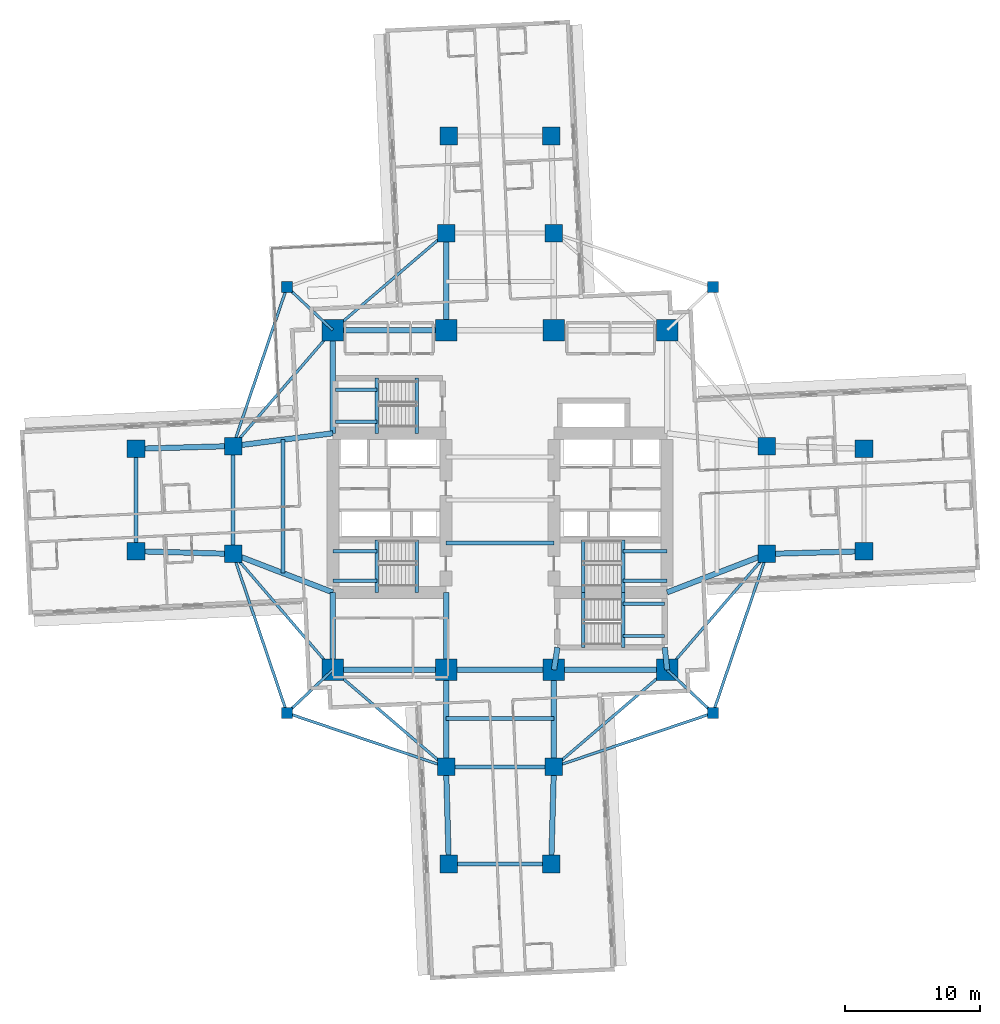
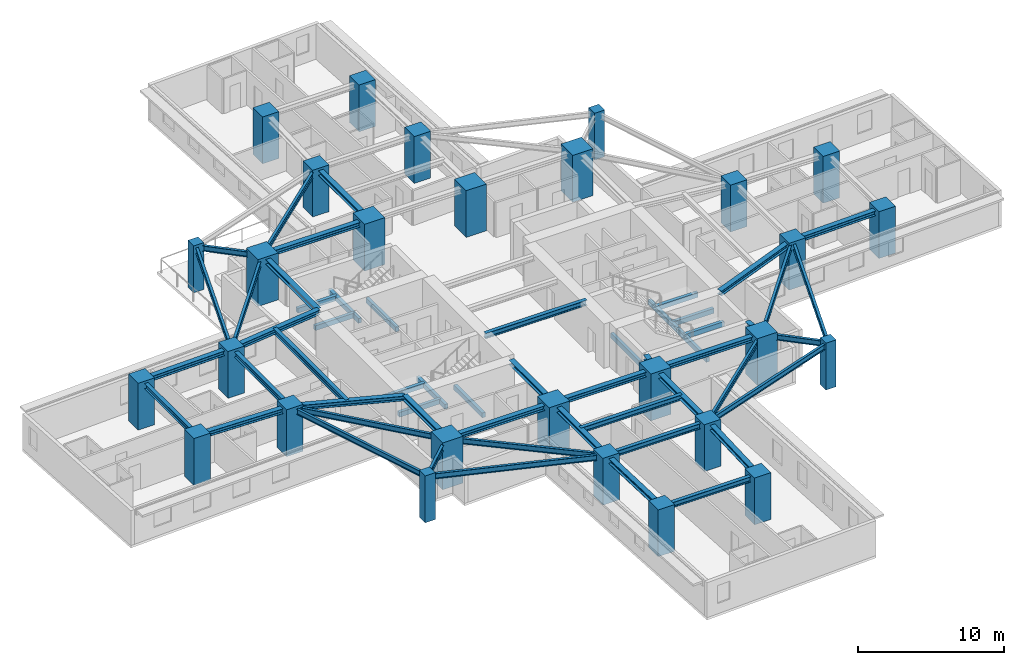
# One storey, part 1 of 14: 57 beams, 28 columns.
"""IFC4 building model written with IfcOpenShell, lengths in metres."""

from ifc_helpers import new_model, si_unit, direction, frame, origin, origin_2d, place, context, subcontext, project, spatial, rectangle, i_section, extrude, material, material_profile, profile_set, type_object, element, save


model = new_model("IFC4")

# Units and contexts
model_context = context("Model", 3, precision=1e-05, world=origin(), true_north=direction((0.0, 1.0)))
body_context = subcontext(model_context, "Body", "Model", "MODEL_VIEW")
ifc_project = project(units=[si_unit("LENGTHUNIT", "METRE"), si_unit("AREAUNIT", "SQUARE_METRE"), si_unit("VOLUMEUNIT", "CUBIC_METRE"), si_unit("PLANEANGLEUNIT", "RADIAN"), si_unit("MASSUNIT", "GRAM", prefix="KILO")], contexts=[model_context])

# Site, building, storey
site_placement = place(None, origin())
site = spatial("IfcSite", under=ifc_project, at=site_placement, CompositionType="ELEMENT")
building_placement = place(site_placement, origin())
building = spatial("IfcBuilding", under=site, at=building_placement, Name="Qingluan Cross Belvedere", CompositionType="ELEMENT")
storey_placement = place(building_placement, frame((0.0, 0.0, 35.39990234375)))
storey = spatial("IfcBuildingStorey", under=building, at=storey_placement, Name="L09", CompositionType="ELEMENT", Elevation=35.39990234375)

# Columns
ifc_material_1 = material(Name="Concrete C60", Category="concrete")
ifc_material_profile_1 = material_profile(ifc_material_1, rectangle(XDim=1.300048828125, YDim=1.300048828125, at=origin_2d()), Name="RC1300x1300")
ifc_profile_set_1 = profile_set([ifc_material_profile_1], Name="Concrete C60")
column_type_1 = type_object("IfcColumnType", Name="Column_RC1300x1300", PredefinedType="COLUMN", material=ifc_profile_set_1)
for number, where, z_axis, x_axis, name in (
    (1, (19.800048828125, -4.0, 0.0), (0.0, 0.0, 1.0), (1.0, 0.0, 0.0), "Arm column L09-EIA"),
    (2, (19.800048828125, 4.0, 0.0), (0.0, 0.0, 1.0), (1.0, 0.0, 0.0), "Arm column L09-EIB"),
    (3, (-19.800048828125, -4.0, 0.0), (0.0, 0.0, 1.0), (1.0, 0.0, 0.0), "Arm column L09-WIA"),
    (4, (-19.800048828125, 4.0, 0.0), (0.0, 0.0, 1.0), (1.0, 0.0, 0.0), "Arm column L09-WIB"),
    (5, (-4.0, -19.800048828125, 0.0), (0.0, 0.0, 1.0), (1.0, 0.0, 0.0), "Arm column L09-SIA"),
    (6, (4.0, -19.800048828125, 0.0), (0.0, 0.0, 1.0), (1.0, 0.0, 0.0), "Arm column L09-SIB"),
    (7, (-4.0, 19.800048828125, 0.0), (0.0, 0.0, 1.0), (1.0, 0.0, 0.0), "Arm column L09-NIA"),
    (8, (4.0, 19.800048828125, 0.0), (0.0, 0.0, 1.0), (1.0, 0.0, 0.0), "Arm column L09-NIB"),
    (9, (27.0, -3.800048828125, 0.0), (0.0, 0.0, 1.0), (1.0, 0.0, 0.0), "Arm column L09-EOA"),
    (10, (27.0, 3.800048828125, 0.0), (0.0, 0.0, 1.0), (1.0, 0.0, 0.0), "Arm column L09-EOB"),
    (11, (-27.0, -3.800048828125, 0.0), (0.0, 0.0, 1.0), (1.0, 0.0, 0.0), "Arm column L09-WOA"),
    (12, (-27.0, 3.800048828125, 0.0), (0.0, 0.0, 1.0), (1.0, 0.0, 0.0), "Arm column L09-WOB"),
    (13, (-3.800048828125, -27.0, 0.0), (0.0, 0.0, 1.0), (1.0, 0.0, 0.0), "Arm column L09-SOA"),
    (14, (3.800048828125, -27.0, 0.0), (0.0, 0.0, 1.0), (1.0, 0.0, 0.0), "Arm column L09-SOB"),
    (15, (-3.800048828125, 27.0, 0.0), (0.0, 0.0, 1.0), (1.0, 0.0, 0.0), "Arm column L09-NOA"),
    (16, (3.800048828125, 27.0, 0.0), (0.0, 0.0, 1.0), (1.0, 0.0, 0.0), "Arm column L09-NOB"),
):
    element("IfcColumn", number, at=place(storey_placement, frame(where, z_axis=z_axis, x_axis=x_axis)), inside=storey, type_object=column_type_1, Name=name, PredefinedType="COLUMN", context=body_context, shape_type="SweptSolid", body=[
        extrude(rectangle(XDim=1.300048828125, YDim=1.300048828125, at=origin_2d()), origin(), (0.0, 0.0, 1.0), 3.900146484375),
    ])
ifc_material_2 = material(Name="Concrete C70", Category="concrete")
ifc_material_profile_2 = material_profile(ifc_material_2, rectangle(XDim=1.60009765625, YDim=1.60009765625, at=origin_2d()), Name="RC1600x1600")
ifc_profile_set_2 = profile_set([ifc_material_profile_2], Name="Concrete C70")
column_type_2 = type_object("IfcColumnType", Name="Column_RC1600x1600", PredefinedType="COLUMN", material=ifc_profile_set_2)
for number, where, z_axis, x_axis, name in (
    (17, (-12.39990234375, -12.60009765625, 0.0), (0.0, 0.0, 1.0), (1.0, 0.0, 0.0), "Hub column L09-HC1"),
    (18, (12.39990234375, -12.60009765625, 0.0), (0.0, 0.0, 1.0), (1.0, 0.0, 0.0), "Hub column L09-HC2"),
    (19, (12.39990234375, 12.60009765625, 0.0), (0.0, 0.0, 1.0), (1.0, 0.0, 0.0), "Hub column L09-HC3"),
    (20, (-12.39990234375, 12.60009765625, 0.0), (0.0, 0.0, 1.0), (1.0, 0.0, 0.0), "Hub column L09-HC4"),
    (21, (-4.0, -12.60009765625, 0.0), (0.0, 0.0, 1.0), (1.0, 0.0, 0.0), "Hub column L09-HC5"),
    (22, (4.0, -12.60009765625, 0.0), (0.0, 0.0, 1.0), (1.0, 0.0, 0.0), "Hub column L09-HC6"),
    (23, (4.0, 12.60009765625, 0.0), (0.0, 0.0, 1.0), (1.0, 0.0, 0.0), "Hub column L09-HC7"),
    (24, (-4.0, 12.60009765625, 0.0), (0.0, 0.0, 1.0), (1.0, 0.0, 0.0), "Hub column L09-HC8"),
):
    element("IfcColumn", number, at=place(storey_placement, frame(where, z_axis=z_axis, x_axis=x_axis)), inside=storey, type_object=column_type_2, Name=name, PredefinedType="COLUMN", context=body_context, shape_type="SweptSolid", body=[
        extrude(rectangle(XDim=1.60009765625, YDim=1.60009765625, at=origin_2d()), origin(), (0.0, 0.0, 1.0), 3.900146484375),
    ])
ifc_material_3 = material(Name="Concrete C50", Category="concrete")
ifc_material_profile_3 = material_profile(ifc_material_3, rectangle(XDim=0.800048828125, YDim=0.800048828125, at=origin_2d()), Name="RC800x800")
ifc_profile_set_3 = profile_set([ifc_material_profile_3], Name="Concrete C50")
column_type_3 = type_object("IfcColumnType", Name="Column_RC800x800", PredefinedType="COLUMN", material=ifc_profile_set_3)
for number, where, z_axis, x_axis, name in (
    (25, (15.800048828125, 15.800048828125, 0.0), (0.0, 0.0, 1.0), (1.0, 0.0, 0.0), "Corner column L09-RNE"),
    (26, (-15.800048828125, 15.800048828125, 0.0), (0.0, 0.0, 1.0), (1.0, 0.0, 0.0), "Corner column L09-RNW"),
    (27, (-15.800048828125, -15.800048828125, 0.0), (0.0, 0.0, 1.0), (1.0, 0.0, 0.0), "Corner column L09-RSW"),
    (28, (15.800048828125, -15.800048828125, 0.0), (0.0, 0.0, 1.0), (1.0, 0.0, 0.0), "Corner column L09-RSE"),
):
    element("IfcColumn", number, at=place(storey_placement, frame(where, z_axis=z_axis, x_axis=x_axis)), inside=storey, type_object=column_type_3, Name=name, PredefinedType="COLUMN", context=body_context, shape_type="SweptSolid", body=[
        extrude(rectangle(XDim=0.800048828125, YDim=0.800048828125, at=origin_2d()), origin(), (0.0, 0.0, 1.0), 3.900146484375),
    ])

# Beams
ifc_material_4 = material(Name="Concrete C45", Category="concrete")
ifc_material_profile_4 = material_profile(ifc_material_4, rectangle(XDim=0.25, YDim=0.39990234375, at=origin_2d()), Name="RC250x400")
ifc_profile_set_4 = profile_set([ifc_material_profile_4], Name="Concrete C45")
beam_type_1 = type_object("IfcBeamType", Name="RC_Lintel_RC250x400", PredefinedType="LINTEL", material=ifc_profile_set_4)
for number, where, z_axis, x_axis, name in (
    (29, (-6.179931640625, -6.85009765625, -0.199951171875), (0.0, 1.0, 0.0), (-1.0, 0.0, 0.0), "Stair ST1 landing beam L09"),
    (30, (6.179931640625, -6.85009765625, -0.199951171875), (0.0, 1.0, 0.0), (-1.0, 0.0, 0.0), "Stair ST2 landing beam L09"),
):
    element("IfcBeam", number, at=place(storey_placement, frame(where, z_axis=z_axis, x_axis=x_axis)), inside=storey, type_object=beam_type_1, Name=name, PredefinedType="LINTEL", context=body_context, shape_type="SweptSolid", body=[
        extrude(rectangle(XDim=0.25, YDim=0.39990234375, at=origin_2d()), origin(), (0.0, 0.0, 1.0), 3.89013671875),
    ])
beam_1_placement = place(storey_placement, frame((-6.179931640625, 4.949951171875, -0.199951171875), z_axis=(0.0, 1.0, 0.0), x_axis=(-1.0, 0.0, 0.0)))
element("IfcBeam", 31, at=beam_1_placement, inside=storey, type_object=beam_type_1, Name="Stair ST3 landing beam L09", PredefinedType="LINTEL", context=body_context, shape_type="SweptSolid", body=[
    extrude(rectangle(XDim=0.25, YDim=0.39990234375, at=origin_2d()), origin(), (0.0, 0.0, 1.0), 4.090087890625),
])
beam_2_placement = place(storey_placement, frame((6.179931640625, -10.93994140625, -0.199951171875), z_axis=(0.0, 1.0, 0.0), x_axis=(-1.0, 0.0, 0.0)))
element("IfcBeam", 32, at=beam_2_placement, inside=storey, type_object=beam_type_1, Name="Stair ST4 landing beam L09", PredefinedType="LINTEL", context=body_context, shape_type="SweptSolid", body=[
    extrude(rectangle(XDim=0.25, YDim=0.39990234375, at=origin_2d()), origin(), (0.0, 0.0, 1.0), 4.08984375),
])
beam_3_placement = place(storey_placement, frame((-9.1298828125, -6.85009765625, 1.550048828125), z_axis=(0.0, 1.0, 0.0), x_axis=(-1.0, 0.0, 0.0)))
element("IfcBeam", 33, at=beam_3_placement, inside=storey, type_object=beam_type_1, Name="Stair ST1 beam A L09", PredefinedType="LINTEL", context=body_context, shape_type="SweptSolid", body=[
    extrude(rectangle(XDim=0.25, YDim=0.39990234375, at=origin_2d()), origin(), (0.0, 0.0, 1.0), 3.89013671875),
])
for number, where, z_axis, x_axis, name in (
    (34, (-12.39990234375, -6.0, 1.550048828125), (1.0, 0.0, 0.0), (0.0, 1.0, 0.0), "Stair ST1 beam B L09"),
    (35, (-12.39990234375, -3.81005859375, 1.550048828125), (1.0, 0.0, 0.0), (0.0, 1.0, 0.0), "Stair ST1 beam C L09"),
):
    element("IfcBeam", number, at=place(storey_placement, frame(where, z_axis=z_axis, x_axis=x_axis)), inside=storey, type_object=beam_type_1, Name=name, PredefinedType="LINTEL", context=body_context, shape_type="SweptSolid", body=[
        extrude(rectangle(XDim=0.25, YDim=0.39990234375, at=origin_2d()), origin(), (0.0, 0.0, 1.0), 3.27001953125),
    ])
beam_4_placement = place(storey_placement, frame((9.1298828125, -6.85009765625, 1.550048828125), z_axis=(0.0, 1.0, 0.0), x_axis=(-1.0, 0.0, 0.0)))
element("IfcBeam", 36, at=beam_4_placement, inside=storey, type_object=beam_type_1, Name="Stair ST2 beam A L09", PredefinedType="LINTEL", context=body_context, shape_type="SweptSolid", body=[
    extrude(rectangle(XDim=0.25, YDim=0.39990234375, at=origin_2d()), origin(), (0.0, 0.0, 1.0), 3.89013671875),
])
for number, where, z_axis, x_axis, name in (
    (37, (12.39990234375, -6.0, 1.550048828125), (-1.0, 0.0, 0.0), (0.0, -1.0, 0.0), "Stair ST2 beam B L09"),
    (38, (12.39990234375, -3.81005859375, 1.550048828125), (-1.0, 0.0, 0.0), (0.0, -1.0, 0.0), "Stair ST2 beam C L09"),
):
    element("IfcBeam", number, at=place(storey_placement, frame(where, z_axis=z_axis, x_axis=x_axis)), inside=storey, type_object=beam_type_1, Name=name, PredefinedType="LINTEL", context=body_context, shape_type="SweptSolid", body=[
        extrude(rectangle(XDim=0.25, YDim=0.39990234375, at=origin_2d()), origin(), (0.0, 0.0, 1.0), 3.27001953125),
    ])
beam_5_placement = place(storey_placement, frame((-9.1298828125, 4.949951171875, 1.550048828125), z_axis=(0.0, 1.0, 0.0), x_axis=(-1.0, 0.0, 0.0)))
element("IfcBeam", 39, at=beam_5_placement, inside=storey, type_object=beam_type_1, Name="Stair ST3 beam A L09", PredefinedType="LINTEL", context=body_context, shape_type="SweptSolid", body=[
    extrude(rectangle(XDim=0.25, YDim=0.39990234375, at=origin_2d()), origin(), (0.0, 0.0, 1.0), 4.090087890625),
])
for number, where, z_axis, x_axis, name in (
    (40, (-12.219970703125, 5.800048828125, 1.550048828125), (1.0, 0.0, 0.0), (0.0, 1.0, 0.0), "Stair ST3 beam B L09"),
    (41, (-12.219970703125, 8.18994140625, 1.550048828125), (1.0, 0.0, 0.0), (0.0, 1.0, 0.0), "Stair ST3 beam C L09"),
):
    element("IfcBeam", number, at=place(storey_placement, frame(where, z_axis=z_axis, x_axis=x_axis)), inside=storey, type_object=beam_type_1, Name=name, PredefinedType="LINTEL", context=body_context, shape_type="SweptSolid", body=[
        extrude(rectangle(XDim=0.25, YDim=0.39990234375, at=origin_2d()), origin(), (0.0, 0.0, 1.0), 3.090087890625),
    ])
beam_6_placement = place(storey_placement, frame((9.1298828125, -10.93994140625, 1.550048828125), z_axis=(0.0, 1.0, 0.0), x_axis=(-1.0, 0.0, 0.0)))
element("IfcBeam", 42, at=beam_6_placement, inside=storey, type_object=beam_type_1, Name="Stair ST4 beam A L09", PredefinedType="LINTEL", context=body_context, shape_type="SweptSolid", body=[
    extrude(rectangle(XDim=0.25, YDim=0.39990234375, at=origin_2d()), origin(), (0.0, 0.0, 1.0), 4.08984375),
])
for number, where, z_axis, x_axis, name in (
    (43, (12.219970703125, -10.090087890625, 1.550048828125), (-1.0, 0.0, 0.0), (0.0, -1.0, 0.0), "Stair ST4 beam B L09"),
    (44, (12.219970703125, -7.699951171875, 1.550048828125), (-1.0, 0.0, 0.0), (0.0, -1.0, 0.0), "Stair ST4 beam C L09"),
):
    element("IfcBeam", number, at=place(storey_placement, frame(where, z_axis=z_axis, x_axis=x_axis)), inside=storey, type_object=beam_type_1, Name=name, PredefinedType="LINTEL", context=body_context, shape_type="SweptSolid", body=[
        extrude(rectangle(XDim=0.25, YDim=0.39990234375, at=origin_2d()), origin(), (0.0, 0.0, 1.0), 3.090087890625),
    ])
ifc_material_5 = material(Name="Steel Q420GJB", Category="steel")
ifc_material_profile_5 = material_profile(ifc_material_5, i_section(OverallWidth=0.300048828125, OverallDepth=0.43994140625, WebThickness=0.010986328125, FlangeThickness=0.01806640625, FilletRadius=0.02001953125, at=origin_2d()), Name="HM440x300x11x18")
ifc_profile_set_5 = profile_set([ifc_material_profile_5], Name="Steel Q420GJB")
beam_type_2 = type_object("IfcBeamType", Name="Steel_Beam_HM440x300x11x18", PredefinedType="BEAM", material=ifc_profile_set_5)
for number, where, z_axis, x_axis, name in (
    (45, (-4.0, -3.199951171875, 3.47998046875), (1.0, 0.0, 0.0), (0.0, 1.0, 0.0), "Hall beam L09-CH1"),
    (46, (-19.800048828125, -4.0, 3.47998046875), (0.0, 1.0, 0.0), (-1.0, 0.0, 0.0), "Arm W tie L09"),
):
    element("IfcBeam", number, at=place(storey_placement, frame(where, z_axis=z_axis, x_axis=x_axis)), inside=storey, type_object=beam_type_2, Name=name, PredefinedType="BEAM", context=body_context, shape_type="SweptSolid", body=[
        extrude(i_section(OverallWidth=0.300048828125, OverallDepth=0.43994140625, WebThickness=0.010986328125, FlangeThickness=0.01806640625, FilletRadius=0.02001953125, at=origin_2d()), origin(), (0.0, 0.0, 1.0), 8.0),
    ])
beam_7_placement = place(storey_placement, frame((-16.10009765625, -5.425048828125, 3.47998046875), z_axis=(0.0, 1.0, 0.0), x_axis=(-1.0, 0.0, 0.0)))
element("IfcBeam", 47, at=beam_7_placement, inside=storey, type_object=beam_type_2, Name="Arm W beam L09", PredefinedType="BEAM", context=body_context, shape_type="SweptSolid", body=[
    extrude(i_section(OverallWidth=0.300048828125, OverallDepth=0.43994140625, WebThickness=0.010986328125, FlangeThickness=0.01806640625, FilletRadius=0.02001953125, at=origin_2d()), origin(), (0.0, 0.0, 1.0), 9.900146484375),
])
beam_8_placement = place(storey_placement, frame((-27.0, -3.800048828125, 3.47998046875), z_axis=(0.0, 1.0, 0.0), x_axis=(-1.0, 0.0, 0.0)))
element("IfcBeam", 48, at=beam_8_placement, inside=storey, type_object=beam_type_2, Name="Arm W tip transverse beam L09", PredefinedType="BEAM", context=body_context, shape_type="SweptSolid", body=[
    extrude(i_section(OverallWidth=0.300048828125, OverallDepth=0.43994140625, WebThickness=0.010986328125, FlangeThickness=0.01806640625, FilletRadius=0.02001953125, at=origin_2d()), origin(), (0.0, 0.0, 1.0), 7.60009765625),
])
for number, where, z_axis, x_axis, name in (
    (49, (-4.0, -19.800048828125, 3.47998046875), (1.0, 0.0, 0.0), (0.0, 1.0, 0.0), "Arm S tie L09"),
    (50, (-4.0, -16.199951171875, 3.47998046875), (1.0, 0.0, 0.0), (0.0, 1.0, 0.0), "Arm S beam L09"),
):
    element("IfcBeam", number, at=place(storey_placement, frame(where, z_axis=z_axis, x_axis=x_axis)), inside=storey, type_object=beam_type_2, Name=name, PredefinedType="BEAM", context=body_context, shape_type="SweptSolid", body=[
        extrude(i_section(OverallWidth=0.300048828125, OverallDepth=0.43994140625, WebThickness=0.010986328125, FlangeThickness=0.01806640625, FilletRadius=0.02001953125, at=origin_2d()), origin(), (0.0, 0.0, 1.0), 8.0),
    ])
beam_9_placement = place(storey_placement, frame((-3.800048828125, -27.0, 3.47998046875), z_axis=(1.0, 0.0, 0.0), x_axis=(0.0, 1.0, 0.0)))
element("IfcBeam", 51, at=beam_9_placement, inside=storey, type_object=beam_type_2, Name="Arm S tip transverse beam L09", PredefinedType="BEAM", context=body_context, shape_type="SweptSolid", body=[
    extrude(i_section(OverallWidth=0.300048828125, OverallDepth=0.43994140625, WebThickness=0.010986328125, FlangeThickness=0.01806640625, FilletRadius=0.02001953125, at=origin_2d()), origin(), (0.0, 0.0, 1.0), 7.60009765625),
])
ifc_material_6 = material(Name="Steel Q420GJB", Category="steel")
ifc_material_profile_6 = material_profile(ifc_material_6, i_section(OverallWidth=0.199951171875, OverallDepth=0.449951171875, WebThickness=0.009033203125, FlangeThickness=0.013916015625, FilletRadius=0.01611328125, at=origin_2d()), Name="HN450x200x9x14")
ifc_profile_set_6 = profile_set([ifc_material_profile_6], Name="Steel Q420GJB")
beam_type_3 = type_object("IfcBeamType", Name="Steel_Beam_HN450x200x9x14", PredefinedType="JOIST", material=ifc_profile_set_6)
beam_10_placement = place(storey_placement, frame((-12.39990234375, 12.60009765625, 3.455078125), z_axis=(-0.728219948308, 0.685343495546, 0.0), x_axis=(-0.685343495546, -0.728219948308, 0.0)))
element("IfcBeam", 52, at=beam_10_placement, inside=storey, type_object=beam_type_3, Name="Corner beam 1 L09-RNW", PredefinedType="JOIST", context=body_context, shape_type="SweptSolid", body=[
    extrude(i_section(OverallWidth=0.199951171875, OverallDepth=0.449951171875, WebThickness=0.009033203125, FlangeThickness=0.013916015625, FilletRadius=0.01611328125, at=origin_2d()), origin(), (0.0, 0.0, 1.0), 4.669189453125),
])
beam_11_placement = place(storey_placement, frame((-15.800048828125, 15.800048828125, 3.455078125), z_axis=(-0.321038089628, -0.947066283324, 0.0), x_axis=(0.947066283324, -0.321038089628, 0.0)))
element("IfcBeam", 53, at=beam_11_placement, inside=storey, type_object=beam_type_3, Name="Corner beam 3 L09-RNW", PredefinedType="JOIST", context=body_context, shape_type="SweptSolid", body=[
    extrude(i_section(OverallWidth=0.199951171875, OverallDepth=0.449951171875, WebThickness=0.009033203125, FlangeThickness=0.013916015625, FilletRadius=0.01611328125, at=origin_2d()), origin(), (0.0, 0.0, 1.0), 12.45947265625),
])
beam_12_placement = place(storey_placement, frame((-12.39990234375, 12.60009765625, 3.455078125), z_axis=(-0.652245077546, -0.75800815221, 0.0), x_axis=(0.75800815221, -0.652245077546, 0.0)))
element("IfcBeam", 54, at=beam_12_placement, inside=storey, type_object=beam_type_3, Name="Corner beam 4 L09-RNW", PredefinedType="JOIST", context=body_context, shape_type="SweptSolid", body=[
    extrude(i_section(OverallWidth=0.199951171875, OverallDepth=0.449951171875, WebThickness=0.009033203125, FlangeThickness=0.013916015625, FilletRadius=0.01611328125, at=origin_2d()), origin(), (0.0, 0.0, 1.0), 11.345703125),
])
beam_13_placement = place(storey_placement, frame((-12.39990234375, 12.60009765625, 3.455078125), z_axis=(0.759255044656, 0.650793190779, 0.0), x_axis=(-0.650793190779, 0.759255044656, 0.0)))
element("IfcBeam", 55, at=beam_13_placement, inside=storey, type_object=beam_type_3, Name="Corner beam 5 L09-RNW", PredefinedType="JOIST", context=body_context, shape_type="SweptSolid", body=[
    extrude(i_section(OverallWidth=0.199951171875, OverallDepth=0.449951171875, WebThickness=0.009033203125, FlangeThickness=0.013916015625, FilletRadius=0.01611328125, at=origin_2d()), origin(), (0.0, 0.0, 1.0), 11.063232421875),
])
beam_14_placement = place(storey_placement, frame((-12.39990234375, -12.60009765625, 3.47509765625), z_axis=(-0.728219948308, -0.685343495546, 0.0), x_axis=(0.685343495546, -0.728219948308, 0.0)))
element("IfcBeam", 56, at=beam_14_placement, inside=storey, type_object=beam_type_3, Name="Corner beam 1 L09-RSW", PredefinedType="JOIST", context=body_context, shape_type="SweptSolid", body=[
    extrude(i_section(OverallWidth=0.199951171875, OverallDepth=0.449951171875, WebThickness=0.009033203125, FlangeThickness=0.013916015625, FilletRadius=0.01611328125, at=origin_2d()), origin(), (0.0, 0.0, 1.0), 4.669189453125),
])
for number, where, z_axis, x_axis, name in (
    (57, (-15.800048828125, -15.800048828125, 3.47509765625), (0.947066283324, -0.321038089628, 0.0), (0.321038089628, 0.947066283324, 0.0), "Corner beam 2 L09-RSW"),
    (58, (-15.800048828125, -15.800048828125, 3.47509765625), (-0.321038089628, 0.947066283324, 0.0), (-0.947066283324, -0.321038089628, 0.0), "Corner beam 3 L09-RSW"),
):
    element("IfcBeam", number, at=place(storey_placement, frame(where, z_axis=z_axis, x_axis=x_axis)), inside=storey, type_object=beam_type_3, Name=name, PredefinedType="JOIST", context=body_context, shape_type="SweptSolid", body=[
        extrude(i_section(OverallWidth=0.199951171875, OverallDepth=0.449951171875, WebThickness=0.009033203125, FlangeThickness=0.013916015625, FilletRadius=0.01611328125, at=origin_2d()), origin(), (0.0, 0.0, 1.0), 12.45947265625),
    ])
beam_15_placement = place(storey_placement, frame((-12.39990234375, -12.60009765625, 3.47509765625), z_axis=(-0.652245077546, 0.75800815221, 0.0), x_axis=(-0.75800815221, -0.652245077546, 0.0)))
element("IfcBeam", 59, at=beam_15_placement, inside=storey, type_object=beam_type_3, Name="Corner beam 4 L09-RSW", PredefinedType="JOIST", context=body_context, shape_type="SweptSolid", body=[
    extrude(i_section(OverallWidth=0.199951171875, OverallDepth=0.449951171875, WebThickness=0.009033203125, FlangeThickness=0.013916015625, FilletRadius=0.01611328125, at=origin_2d()), origin(), (0.0, 0.0, 1.0), 11.345703125),
])
beam_16_placement = place(storey_placement, frame((-12.39990234375, -12.60009765625, 3.47509765625), z_axis=(0.759255044656, -0.650793190779, 0.0), x_axis=(0.650793190779, 0.759255044656, 0.0)))
element("IfcBeam", 60, at=beam_16_placement, inside=storey, type_object=beam_type_3, Name="Corner beam 5 L09-RSW", PredefinedType="JOIST", context=body_context, shape_type="SweptSolid", body=[
    extrude(i_section(OverallWidth=0.199951171875, OverallDepth=0.449951171875, WebThickness=0.009033203125, FlangeThickness=0.013916015625, FilletRadius=0.01611328125, at=origin_2d()), origin(), (0.0, 0.0, 1.0), 11.063232421875),
])
beam_17_placement = place(storey_placement, frame((12.39990234375, -12.60009765625, 3.47509765625), z_axis=(0.728219948308, -0.685343495546, 0.0), x_axis=(0.685343495546, 0.728219948308, 0.0)))
element("IfcBeam", 61, at=beam_17_placement, inside=storey, type_object=beam_type_3, Name="Corner beam 1 L09-RSE", PredefinedType="JOIST", context=body_context, shape_type="SweptSolid", body=[
    extrude(i_section(OverallWidth=0.199951171875, OverallDepth=0.449951171875, WebThickness=0.009033203125, FlangeThickness=0.013916015625, FilletRadius=0.01611328125, at=origin_2d()), origin(), (0.0, 0.0, 1.0), 4.669189453125),
])
for number, where, z_axis, x_axis, name in (
    (62, (15.800048828125, -15.800048828125, 3.47509765625), (-0.947066283324, -0.321038089628, 0.0), (0.321038089628, -0.947066283324, 0.0), "Corner beam 2 L09-RSE"),
    (63, (15.800048828125, -15.800048828125, 3.47509765625), (0.321038089628, 0.947066283324, 0.0), (-0.947066283324, 0.321038089628, 0.0), "Corner beam 3 L09-RSE"),
):
    element("IfcBeam", number, at=place(storey_placement, frame(where, z_axis=z_axis, x_axis=x_axis)), inside=storey, type_object=beam_type_3, Name=name, PredefinedType="JOIST", context=body_context, shape_type="SweptSolid", body=[
        extrude(i_section(OverallWidth=0.199951171875, OverallDepth=0.449951171875, WebThickness=0.009033203125, FlangeThickness=0.013916015625, FilletRadius=0.01611328125, at=origin_2d()), origin(), (0.0, 0.0, 1.0), 12.45947265625),
    ])
beam_18_placement = place(storey_placement, frame((12.39990234375, -12.60009765625, 3.47509765625), z_axis=(0.652245077546, 0.75800815221, 0.0), x_axis=(-0.75800815221, 0.652245077546, 0.0)))
element("IfcBeam", 64, at=beam_18_placement, inside=storey, type_object=beam_type_3, Name="Corner beam 4 L09-RSE", PredefinedType="JOIST", context=body_context, shape_type="SweptSolid", body=[
    extrude(i_section(OverallWidth=0.199951171875, OverallDepth=0.449951171875, WebThickness=0.009033203125, FlangeThickness=0.013916015625, FilletRadius=0.01611328125, at=origin_2d()), origin(), (0.0, 0.0, 1.0), 11.345703125),
])
beam_19_placement = place(storey_placement, frame((12.39990234375, -12.60009765625, 3.47509765625), z_axis=(-0.759255044656, -0.650793190779, 0.0), x_axis=(0.650793190779, -0.759255044656, 0.0)))
element("IfcBeam", 65, at=beam_19_placement, inside=storey, type_object=beam_type_3, Name="Corner beam 5 L09-RSE", PredefinedType="JOIST", context=body_context, shape_type="SweptSolid", body=[
    extrude(i_section(OverallWidth=0.199951171875, OverallDepth=0.449951171875, WebThickness=0.009033203125, FlangeThickness=0.013916015625, FilletRadius=0.01611328125, at=origin_2d()), origin(), (0.0, 0.0, 1.0), 11.063232421875),
])
ifc_material_7 = material(Name="Steel Q420GJB", Category="steel")
ifc_material_profile_7 = material_profile(ifc_material_7, i_section(OverallWidth=0.39990234375, OverallDepth=0.39990234375, WebThickness=0.012939453125, FlangeThickness=0.02099609375, FilletRadius=0.02197265625, at=origin_2d()), Name="HW400x400x13x21")
ifc_profile_set_7 = profile_set([ifc_material_profile_7], Name="Steel Q420GJB")
beam_type_4 = type_object("IfcBeamType", Name="Steel_Girder_HW400x400x13x21", PredefinedType="USERDEFINED", material=ifc_profile_set_7)
beam_20_placement = place(storey_placement, frame((-12.39990234375, -12.60009765625, 3.5), z_axis=(1.0, 0.0, 0.0), x_axis=(0.0, 1.0, 0.0)))
element("IfcBeam", 66, at=beam_20_placement, inside=storey, type_object=beam_type_4, Name="Hub girder L09-HG-S1", ObjectType="GIRDER", PredefinedType="USERDEFINED", context=body_context, shape_type="SweptSolid", body=[
    extrude(i_section(OverallWidth=0.39990234375, OverallDepth=0.39990234375, WebThickness=0.012939453125, FlangeThickness=0.02099609375, FilletRadius=0.02197265625, at=origin_2d()), origin(), (0.0, 0.0, 1.0), 8.39990234375),
])
beam_21_placement = place(storey_placement, frame((-4.0, -12.60009765625, 3.5), z_axis=(1.0, 0.0, 0.0), x_axis=(0.0, 1.0, 0.0)))
element("IfcBeam", 67, at=beam_21_placement, inside=storey, type_object=beam_type_4, Name="Hub girder L09-HG-S2", ObjectType="GIRDER", PredefinedType="USERDEFINED", context=body_context, shape_type="SweptSolid", body=[
    extrude(i_section(OverallWidth=0.39990234375, OverallDepth=0.39990234375, WebThickness=0.012939453125, FlangeThickness=0.02099609375, FilletRadius=0.02197265625, at=origin_2d()), origin(), (0.0, 0.0, 1.0), 8.0),
])
for number, where, z_axis, x_axis, name in (
    (68, (4.0, -12.60009765625, 3.5), (1.0, 0.0, 0.0), (0.0, 1.0, 0.0), "Hub girder L09-HG-S3"),
    (69, (-12.39990234375, 12.60009765625, 3.5), (1.0, 0.0, 0.0), (0.0, 1.0, 0.0), "Hub girder L09-HG-N1"),
):
    element("IfcBeam", number, at=place(storey_placement, frame(where, z_axis=z_axis, x_axis=x_axis)), inside=storey, type_object=beam_type_4, Name=name, ObjectType="GIRDER", PredefinedType="USERDEFINED", context=body_context, shape_type="SweptSolid", body=[
        extrude(i_section(OverallWidth=0.39990234375, OverallDepth=0.39990234375, WebThickness=0.012939453125, FlangeThickness=0.02099609375, FilletRadius=0.02197265625, at=origin_2d()), origin(), (0.0, 0.0, 1.0), 8.39990234375),
    ])
beam_22_placement = place(storey_placement, frame((-12.39990234375, -12.60009765625, 3.5), z_axis=(0.0, 1.0, 0.0), x_axis=(-1.0, 0.0, 0.0)))
element("IfcBeam", 70, at=beam_22_placement, inside=storey, type_object=beam_type_4, Name="Hub girder L09-HG-W1", ObjectType="GIRDER", PredefinedType="USERDEFINED", context=body_context, shape_type="SweptSolid", body=[
    extrude(i_section(OverallWidth=0.39990234375, OverallDepth=0.39990234375, WebThickness=0.012939453125, FlangeThickness=0.02099609375, FilletRadius=0.02197265625, at=origin_2d()), origin(), (0.0, 0.0, 1.0), 5.75),
])
beam_23_placement = place(storey_placement, frame((-12.39990234375, 4.949951171875, 3.5), z_axis=(0.0, 1.0, 0.0), x_axis=(-1.0, 0.0, 0.0)))
element("IfcBeam", 71, at=beam_23_placement, inside=storey, type_object=beam_type_4, Name="Hub girder L09-HG-W2", ObjectType="GIRDER", PredefinedType="USERDEFINED", context=body_context, shape_type="SweptSolid", body=[
    extrude(i_section(OverallWidth=0.39990234375, OverallDepth=0.39990234375, WebThickness=0.012939453125, FlangeThickness=0.02099609375, FilletRadius=0.02197265625, at=origin_2d()), origin(), (0.0, 0.0, 1.0), 7.650146484375),
])
beam_24_placement = place(storey_placement, frame((12.39990234375, -12.60009765625, 3.5), z_axis=(-0.107751337451, 0.994177876075, 0.0), x_axis=(-0.994177876075, -0.107751337451, 0.0)))
element("IfcBeam", 72, at=beam_24_placement, inside=storey, type_object=beam_type_4, Name="Hub girder L09-HG-E1", ObjectType="GIRDER", PredefinedType="USERDEFINED", context=body_context, shape_type="SweptSolid", body=[
    extrude(i_section(OverallWidth=0.39990234375, OverallDepth=0.39990234375, WebThickness=0.012939453125, FlangeThickness=0.02099609375, FilletRadius=0.02197265625, at=origin_2d()), origin(), (0.0, 0.0, 1.0), 1.669921875),
])
beam_25_placement = place(storey_placement, frame((-4.0, -12.60009765625, 3.5), z_axis=(0.0, 1.0, 0.0), x_axis=(-1.0, 0.0, 0.0)))
element("IfcBeam", 73, at=beam_25_placement, inside=storey, type_object=beam_type_4, Name="Hub girder L09-HG-CW", ObjectType="GIRDER", PredefinedType="USERDEFINED", context=body_context, shape_type="SweptSolid", body=[
    extrude(i_section(OverallWidth=0.39990234375, OverallDepth=0.39990234375, WebThickness=0.012939453125, FlangeThickness=0.02099609375, FilletRadius=0.02197265625, at=origin_2d()), origin(), (0.0, 0.0, 1.0), 5.75),
])
beam_26_placement = place(storey_placement, frame((4.0, -12.60009765625, 3.5), z_axis=(0.154731433337, 0.987956569662, 0.0), x_axis=(-0.987956569662, 0.154731433337, 0.0)))
element("IfcBeam", 74, at=beam_26_placement, inside=storey, type_object=beam_type_4, Name="Hub girder L09-HG-CE", ObjectType="GIRDER", PredefinedType="USERDEFINED", context=body_context, shape_type="SweptSolid", body=[
    extrude(i_section(OverallWidth=0.39990234375, OverallDepth=0.39990234375, WebThickness=0.012939453125, FlangeThickness=0.02099609375, FilletRadius=0.02197265625, at=origin_2d()), origin(), (0.0, 0.0, 1.0), 1.680419921875),
])
beam_27_placement = place(storey_placement, frame((12.39990234375, -6.85009765625, 3.5), z_axis=(0.933181258889, 0.359406090735, 0.0), x_axis=(-0.359406090735, 0.933181258889, 0.0)))
element("IfcBeam", 75, at=beam_27_placement, inside=storey, type_object=beam_type_4, Name="Arm E radial girder A L09", ObjectType="GIRDER", PredefinedType="USERDEFINED", context=body_context, shape_type="SweptSolid", body=[
    extrude(i_section(OverallWidth=0.39990234375, OverallDepth=0.39990234375, WebThickness=0.012939453125, FlangeThickness=0.02099609375, FilletRadius=0.02197265625, at=origin_2d()), origin(), (0.0, 0.0, 1.0), 7.929931640625),
])
beam_28_placement = place(storey_placement, frame((19.800048828125, -4.0, 3.5), z_axis=(0.999614603568, 0.027760481514, 0.0), x_axis=(-0.027760481514, 0.999614603568, 0.0)))
element("IfcBeam", 76, at=beam_28_placement, inside=storey, type_object=beam_type_4, Name="Arm E outer radial girder A L09", ObjectType="GIRDER", PredefinedType="USERDEFINED", context=body_context, shape_type="SweptSolid", body=[
    extrude(i_section(OverallWidth=0.39990234375, OverallDepth=0.39990234375, WebThickness=0.012939453125, FlangeThickness=0.02099609375, FilletRadius=0.02197265625, at=origin_2d()), origin(), (0.0, 0.0, 1.0), 7.20263671875),
])
beam_29_placement = place(storey_placement, frame((-12.39990234375, -6.85009765625, 3.5), z_axis=(-0.933181258889, 0.359406090735, 0.0), x_axis=(-0.359406090735, -0.933181258889, 0.0)))
element("IfcBeam", 77, at=beam_29_placement, inside=storey, type_object=beam_type_4, Name="Arm W radial girder A L09", ObjectType="GIRDER", PredefinedType="USERDEFINED", context=body_context, shape_type="SweptSolid", body=[
    extrude(i_section(OverallWidth=0.39990234375, OverallDepth=0.39990234375, WebThickness=0.012939453125, FlangeThickness=0.02099609375, FilletRadius=0.02197265625, at=origin_2d()), origin(), (0.0, 0.0, 1.0), 7.929931640625),
])
beam_30_placement = place(storey_placement, frame((-12.39990234375, 4.949951171875, 3.5), z_axis=(-0.991861120628, -0.12732445714, 0.0), x_axis=(0.12732445714, -0.991861120628, 0.0)))
element("IfcBeam", 78, at=beam_30_placement, inside=storey, type_object=beam_type_4, Name="Arm W radial girder B L09", ObjectType="GIRDER", PredefinedType="USERDEFINED", context=body_context, shape_type="SweptSolid", body=[
    extrude(i_section(OverallWidth=0.39990234375, OverallDepth=0.39990234375, WebThickness=0.012939453125, FlangeThickness=0.02099609375, FilletRadius=0.02197265625, at=origin_2d()), origin(), (0.0, 0.0, 1.0), 7.4609375),
])
for number, where, z_axis, x_axis, name in (
    (79, (-19.800048828125, -4.0, 3.5), (-0.999614603568, 0.027760481514, 0.0), (-0.027760481514, -0.999614603568, 0.0), "Arm W outer radial girder A L09"),
    (80, (-19.800048828125, 4.0, 3.5), (-0.999614603568, -0.027760481514, 0.0), (0.027760481514, -0.999614603568, 0.0), "Arm W outer radial girder B L09"),
):
    element("IfcBeam", number, at=place(storey_placement, frame(where, z_axis=z_axis, x_axis=x_axis)), inside=storey, type_object=beam_type_4, Name=name, ObjectType="GIRDER", PredefinedType="USERDEFINED", context=body_context, shape_type="SweptSolid", body=[
        extrude(i_section(OverallWidth=0.39990234375, OverallDepth=0.39990234375, WebThickness=0.012939453125, FlangeThickness=0.02099609375, FilletRadius=0.02197265625, at=origin_2d()), origin(), (0.0, 0.0, 1.0), 7.20263671875),
    ])
for number, where, z_axis, x_axis, name in (
    (81, (-4.0, 12.60009765625, 3.5), (0.0, 1.0, 0.0), (-1.0, 0.0, 0.0), "Arm N radial girder A L09"),
    (82, (-4.0, -12.60009765625, 3.5), (0.0, -1.0, 0.0), (1.0, 0.0, 0.0), "Arm S radial girder A L09"),
    (83, (4.0, -12.60009765625, 3.5), (0.0, -1.0, 0.0), (1.0, 0.0, 0.0), "Arm S radial girder B L09"),
):
    element("IfcBeam", number, at=place(storey_placement, frame(where, z_axis=z_axis, x_axis=x_axis)), inside=storey, type_object=beam_type_4, Name=name, ObjectType="GIRDER", PredefinedType="USERDEFINED", context=body_context, shape_type="SweptSolid", body=[
        extrude(i_section(OverallWidth=0.39990234375, OverallDepth=0.39990234375, WebThickness=0.012939453125, FlangeThickness=0.02099609375, FilletRadius=0.02197265625, at=origin_2d()), origin(), (0.0, 0.0, 1.0), 7.199951171875),
    ])
for number, where, z_axis, x_axis, name in (
    (84, (-4.0, -19.800048828125, 3.5), (0.027760481514, -0.999614603568, 0.0), (0.999614603568, 0.027760481514, 0.0), "Arm S outer radial girder A L09"),
    (85, (4.0, -19.800048828125, 3.5), (-0.027760481514, -0.999614603568, 0.0), (0.999614603568, -0.027760481514, 0.0), "Arm S outer radial girder B L09"),
):
    element("IfcBeam", number, at=place(storey_placement, frame(where, z_axis=z_axis, x_axis=x_axis)), inside=storey, type_object=beam_type_4, Name=name, ObjectType="GIRDER", PredefinedType="USERDEFINED", context=body_context, shape_type="SweptSolid", body=[
        extrude(i_section(OverallWidth=0.39990234375, OverallDepth=0.39990234375, WebThickness=0.012939453125, FlangeThickness=0.02099609375, FilletRadius=0.02197265625, at=origin_2d()), origin(), (0.0, 0.0, 1.0), 7.20263671875),
    ])

save(model, "model.ifc")
